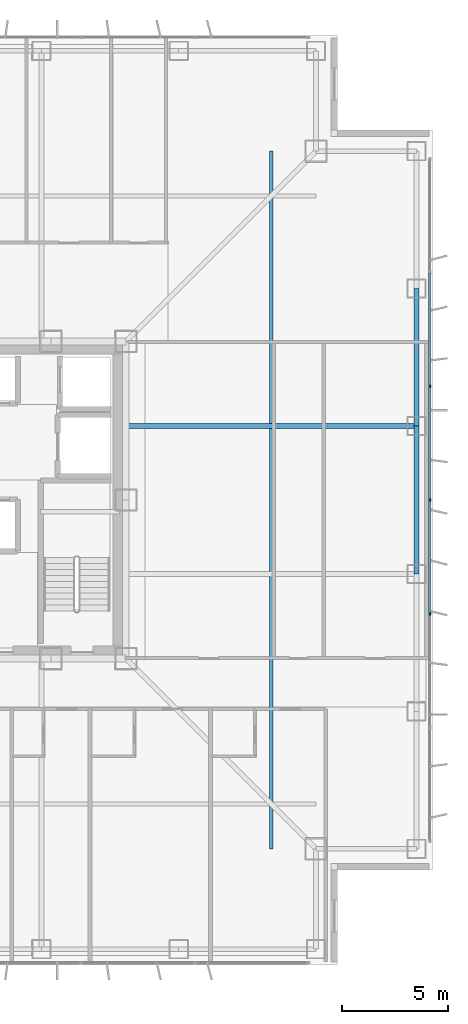
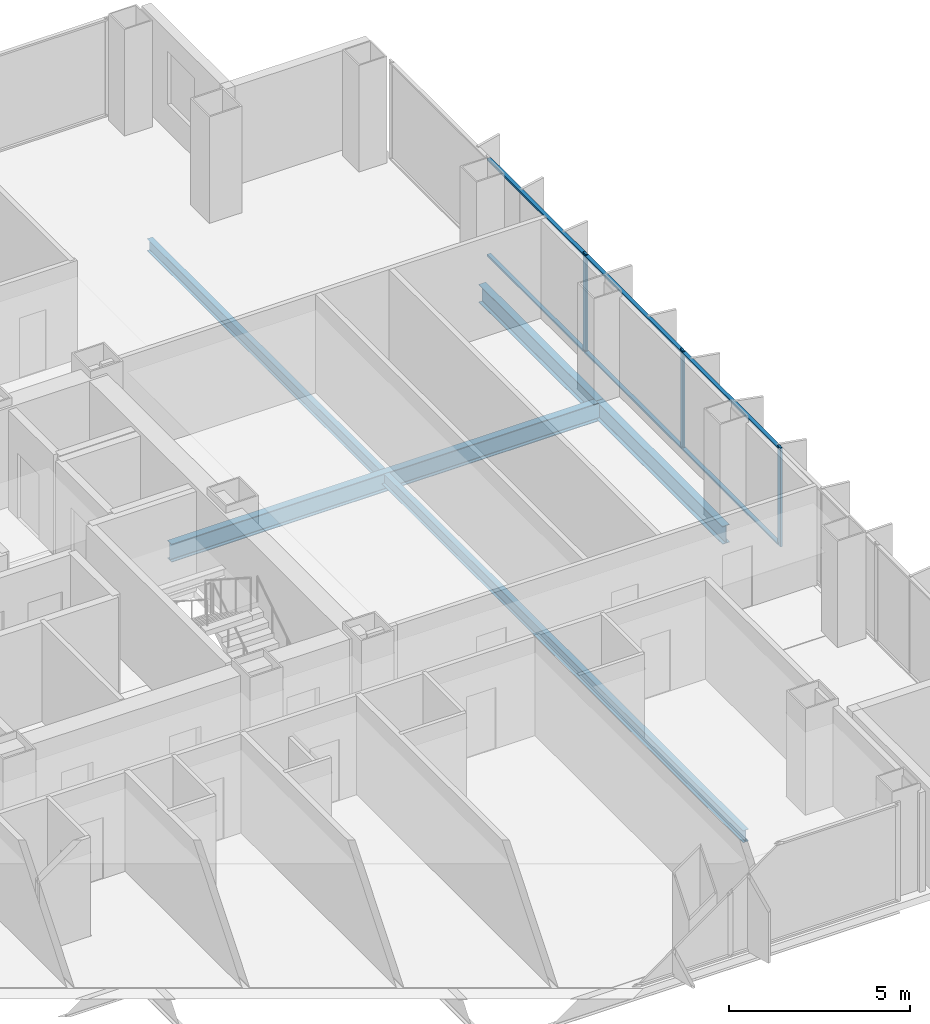
# One storey, part 8 of 18: 9 members, 4 beams, 1 element without a shape of its own.
"""IFC4 building model written with IfcOpenShell, lengths in metres."""

from ifc_helpers import new_model, si_unit, direction, frame, origin, origin_2d, place, context, subcontext, project, spatial, rectangle, i_section, extrude, material, layer, layer_set, material_profile, profile_set, type_object, element, aggregate, save


model = new_model("IFC4")

# Units and contexts
model_context = context("Model", 3, precision=1e-05, world=origin(), true_north=direction((0.0, 1.0)))
body_context = subcontext(model_context, "Body", "Model", "MODEL_VIEW")
ifc_project = project(units=[si_unit("LENGTHUNIT", "METRE"), si_unit("AREAUNIT", "SQUARE_METRE"), si_unit("VOLUMEUNIT", "CUBIC_METRE"), si_unit("PLANEANGLEUNIT", "RADIAN"), si_unit("MASSUNIT", "GRAM", prefix="KILO")], contexts=[model_context])

# Site, building, storey
site_placement = place(None, origin())
site = spatial("IfcSite", under=ifc_project, at=site_placement, CompositionType="ELEMENT")
building_placement = place(site_placement, origin())
building = spatial("IfcBuilding", under=site, at=building_placement, Name="Trevonay Congress Spire", CompositionType="ELEMENT")
storey_placement = place(building_placement, frame((0.0, 0.0, 148.0)))
storey = spatial("IfcBuildingStorey", under=building, at=storey_placement, Name="L38", CompositionType="ELEMENT", Elevation=148.0)

# Beams
ifc_material_1 = material(Name="Steel ASTM A572 Grade 50", Category="steel")
ifc_material_profile_1 = material_profile(ifc_material_1, i_section(OverallWidth=0.22998046875, OverallDepth=0.616943359375, WebThickness=0.01318359375, FlangeThickness=0.022216796875, FilletRadius=0.01611328125, at=origin_2d()), Name="W610x140")
ifc_profile_set_1 = profile_set([ifc_material_profile_1], Name="Steel ASTM A572 Grade 50")
beam_type_1 = type_object("IfcBeamType", Name="BM-GIRD-W610X140", PredefinedType="BEAM", material=ifc_profile_set_1)
beam_1_placement = place(storey_placement, frame((7.5, 3.5, -0.548583984375), z_axis=(1.0, 0.0, 0.0), x_axis=(0.0, 1.0, 0.0)))
element("IfcBeam", 1, at=beam_1_placement, inside=storey, type_object=beam_type_1, Name="L38 structural beam BM-L38-GE-P", PredefinedType="BEAM", context=body_context, shape_type="SweptSolid", body=[
    extrude(i_section(OverallWidth=0.22998046875, OverallDepth=0.616943359375, WebThickness=0.01318359375, FlangeThickness=0.022216796875, FilletRadius=0.01611328125, at=origin_2d()), origin(), (0.0, 0.0, 1.0), 13.75),
])
ifc_material_profile_2 = material_profile(ifc_material_1, i_section(OverallWidth=0.22802734375, OverallDepth=0.60791015625, WebThickness=0.01123046875, FlangeThickness=0.017333984375, FilletRadius=0.01611328125, at=origin_2d()), Name="W610x113")
ifc_profile_set_2 = profile_set([ifc_material_profile_2], Name="Steel ASTM A572 Grade 50")
beam_type_2 = type_object("IfcBeamType", Name="BM-RING-W610X113", PredefinedType="BEAM", material=ifc_profile_set_2)
beam_2_placement = place(storey_placement, frame((21.25, -3.5, -0.5439453125), z_axis=(0.0, 1.0, 0.0), x_axis=(-1.0, 0.0, 0.0)))
element("IfcBeam", 2, at=beam_2_placement, inside=storey, type_object=beam_type_2, Name="L38 structural beam BM-L38-PE3", PredefinedType="BEAM", context=body_context, shape_type="SweptSolid", body=[
    extrude(i_section(OverallWidth=0.22802734375, OverallDepth=0.60791015625, WebThickness=0.01123046875, FlangeThickness=0.017333984375, FilletRadius=0.01611328125, at=origin_2d()), origin(), (0.0, 0.0, 1.0), 7.0),
])
beam_3_placement = place(storey_placement, frame((21.25, 3.5, -0.5439453125), z_axis=(0.0, 1.0, 0.0), x_axis=(-1.0, 0.0, 0.0)))
element("IfcBeam", 3, at=beam_3_placement, inside=storey, type_object=beam_type_2, Name="L38 structural beam BM-L38-PE4", PredefinedType="BEAM", context=body_context, shape_type="SweptSolid", body=[
    extrude(i_section(OverallWidth=0.22802734375, OverallDepth=0.60791015625, WebThickness=0.01123046875, FlangeThickness=0.017333984375, FilletRadius=0.01611328125, at=origin_2d()), origin(), (0.0, 0.0, 1.0), 6.5),
])

# Curtain wall, members
ifc_material_2 = material(Name="Pale Anodised Aluminium EN AW-6063-T6", Category="aluminium")
ifc_layer = layer(ifc_material_2, 0.175048828125, Name="Pale Anodised Aluminium EN AW-6063-T6")
ifc_layer_set = layer_set([ifc_layer], Name="Pale Anodised Aluminium EN AW-6063-T6")
curtain_wall_type = type_object("IfcCurtainWallType", Name="CW-SYS03-CONGRESS-PALE-METAL", PredefinedType="NOTDEFINED", material=ifc_layer_set)
curtain_wall_placement = place(storey_placement, origin())
curtain_wall = element("IfcCurtainWall", 4, at=curtain_wall_placement, inside=storey, type_object=curtain_wall_type, Name="L38 E unitised curtain wall", PredefinedType="NOTDEFINED")
ifc_material_profile_3 = material_profile(ifc_material_2, rectangle(XDim=0.06005859375, YDim=0.159912109375, at=origin_2d()), Name="CW-MULLION-160-ALUMINIUM")
ifc_profile_set_3 = profile_set([ifc_material_profile_3], Name="Pale Anodised Aluminium EN AW-6063-T6")
member_type_1 = type_object("IfcMemberType", Name="CW-MULLION-160-ALUMINIUM", PredefinedType="MULLION", material=ifc_profile_set_3)
member_1_placement = place(storey_placement, frame((21.8798828125, -5.38330078125, 0.0), z_axis=(0.0, 0.0, 1.0), x_axis=(-1.0, 0.0, 0.0)))
member_1 = element("IfcMember", 5, at=member_1_placement, type_object=member_type_1, Name="CW03 mullion 3", PredefinedType="MULLION", context=body_context, shape_type="SweptSolid", body=[
    extrude(rectangle(XDim=0.06005859375, YDim=0.159912109375, at=origin_2d()), origin(), (0.0, 0.0, 1.0), 3.360107421875),
])
member_2_placement = place(storey_placement, frame((21.8798828125, 0.0, 0.0), z_axis=(0.0, 0.0, 1.0), x_axis=(-1.0, 0.0, 0.0)))
member_2 = element("IfcMember", 6, at=member_2_placement, type_object=member_type_1, Name="CW03 mullion 4", PredefinedType="MULLION", context=body_context, shape_type="SweptSolid", body=[
    extrude(rectangle(XDim=0.06005859375, YDim=0.159912109375, at=origin_2d()), origin(), (0.0, 0.0, 1.0), 3.360107421875),
])
member_3_placement = place(storey_placement, frame((21.8798828125, 5.38330078125, 0.0), z_axis=(0.0, 0.0, 1.0), x_axis=(-1.0, 0.0, 0.0)))
member_3 = element("IfcMember", 7, at=member_3_placement, type_object=member_type_1, Name="CW03 mullion 5", PredefinedType="MULLION", context=body_context, shape_type="SweptSolid", body=[
    extrude(rectangle(XDim=0.06005859375, YDim=0.159912109375, at=origin_2d()), origin(), (0.0, 0.0, 1.0), 3.360107421875),
])
ifc_material_profile_4 = material_profile(ifc_material_2, rectangle(XDim=0.1201171875, YDim=0.06005859375, at=origin_2d()), Name="CW-TRANSOM-120-ALUMINIUM")
ifc_profile_set_4 = profile_set([ifc_material_profile_4], Name="Pale Anodised Aluminium EN AW-6063-T6")
member_type_2 = type_object("IfcMemberType", Name="CW-TRANSOM-120-ALUMINIUM", PredefinedType="USERDEFINED", material=ifc_profile_set_4)
member_4_placement = place(storey_placement, frame((21.8798828125, -5.353271484375, 0.06005859375), z_axis=(0.0, 1.0, 0.0), x_axis=(-1.0, 0.0, 0.0)))
member_4 = element("IfcMember", 8, at=member_4_placement, type_object=member_type_2, Name="CW03 transom 3.1", ObjectType="TRANSOM", PredefinedType="USERDEFINED", context=body_context, shape_type="SweptSolid", body=[
    extrude(rectangle(XDim=0.1201171875, YDim=0.06005859375, at=origin_2d()), origin(), (0.0, 0.0, 1.0), 5.3232421875),
])
member_5_placement = place(storey_placement, frame((21.8798828125, -5.353271484375, 3.300048828125), z_axis=(0.0, 1.0, 0.0), x_axis=(-1.0, 0.0, 0.0)))
member_5 = element("IfcMember", 9, at=member_5_placement, type_object=member_type_2, Name="CW03 transom 3.2", ObjectType="TRANSOM", PredefinedType="USERDEFINED", context=body_context, shape_type="SweptSolid", body=[
    extrude(rectangle(XDim=0.1201171875, YDim=0.06005859375, at=origin_2d()), origin(), (0.0, 0.0, 1.0), 5.3232421875),
])
member_6_placement = place(storey_placement, frame((21.8798828125, 0.030029296875, 0.06005859375), z_axis=(0.0, 1.0, 0.0), x_axis=(-1.0, 0.0, 0.0)))
member_6 = element("IfcMember", 10, at=member_6_placement, type_object=member_type_2, Name="CW03 transom 4.1", ObjectType="TRANSOM", PredefinedType="USERDEFINED", context=body_context, shape_type="SweptSolid", body=[
    extrude(rectangle(XDim=0.1201171875, YDim=0.06005859375, at=origin_2d()), origin(), (0.0, 0.0, 1.0), 5.3232421875),
])
member_7_placement = place(storey_placement, frame((21.8798828125, 0.030029296875, 3.300048828125), z_axis=(0.0, 1.0, 0.0), x_axis=(-1.0, 0.0, 0.0)))
member_7 = element("IfcMember", 11, at=member_7_placement, type_object=member_type_2, Name="CW03 transom 4.2", ObjectType="TRANSOM", PredefinedType="USERDEFINED", context=body_context, shape_type="SweptSolid", body=[
    extrude(rectangle(XDim=0.1201171875, YDim=0.06005859375, at=origin_2d()), origin(), (0.0, 0.0, 1.0), 5.3232421875),
])
member_8_placement = place(storey_placement, frame((21.8798828125, 5.413330078125, 0.06005859375), z_axis=(0.0, 1.0, 0.0), x_axis=(-1.0, 0.0, 0.0)))
member_8 = element("IfcMember", 12, at=member_8_placement, type_object=member_type_2, Name="CW03 transom 5.1", ObjectType="TRANSOM", PredefinedType="USERDEFINED", context=body_context, shape_type="SweptSolid", body=[
    extrude(rectangle(XDim=0.1201171875, YDim=0.06005859375, at=origin_2d()), origin(), (0.0, 0.0, 1.0), 5.3232421875),
])
member_9_placement = place(storey_placement, frame((21.8798828125, 5.413330078125, 3.300048828125), z_axis=(0.0, 1.0, 0.0), x_axis=(-1.0, 0.0, 0.0)))
member_9 = element("IfcMember", 13, at=member_9_placement, type_object=member_type_2, Name="CW03 transom 5.2", ObjectType="TRANSOM", PredefinedType="USERDEFINED", context=body_context, shape_type="SweptSolid", body=[
    extrude(rectangle(XDim=0.1201171875, YDim=0.06005859375, at=origin_2d()), origin(), (0.0, 0.0, 1.0), 5.3232421875),
])
aggregate(curtain_wall, [member_1, member_2, member_3, member_4, member_5, member_6, member_7, member_8, member_9])

# Beam
ifc_material_profile_5 = material_profile(ifc_material_1, i_section(OverallWidth=0.177978515625, OverallDepth=0.406982421875, WebThickness=0.0078125, FlangeThickness=0.0126953125, FilletRadius=0.012939453125, at=origin_2d()), Name="W410x60")
ifc_profile_set_5 = profile_set([ifc_material_profile_5], Name="Steel ASTM A572 Grade 50")
beam_type_3 = type_object("IfcBeamType", Name="JS-COMP-W410X60", PredefinedType="JOIST", material=ifc_profile_set_5)
beam_4_placement = place(storey_placement, frame((14.375, -16.5, -0.443603515625), z_axis=(0.0, 1.0, 0.0), x_axis=(-1.0, 0.0, 0.0)))
element("IfcBeam", 14, at=beam_4_placement, inside=storey, type_object=beam_type_3, Name="L38 structural beam JS-L38-RING-E", PredefinedType="JOIST", context=body_context, shape_type="SweptSolid", body=[
    extrude(i_section(OverallWidth=0.177978515625, OverallDepth=0.406982421875, WebThickness=0.0078125, FlangeThickness=0.0126953125, FilletRadius=0.012939453125, at=origin_2d()), origin(), (0.0, 0.0, 1.0), 33.0),
])

save(model, "model.ifc")
